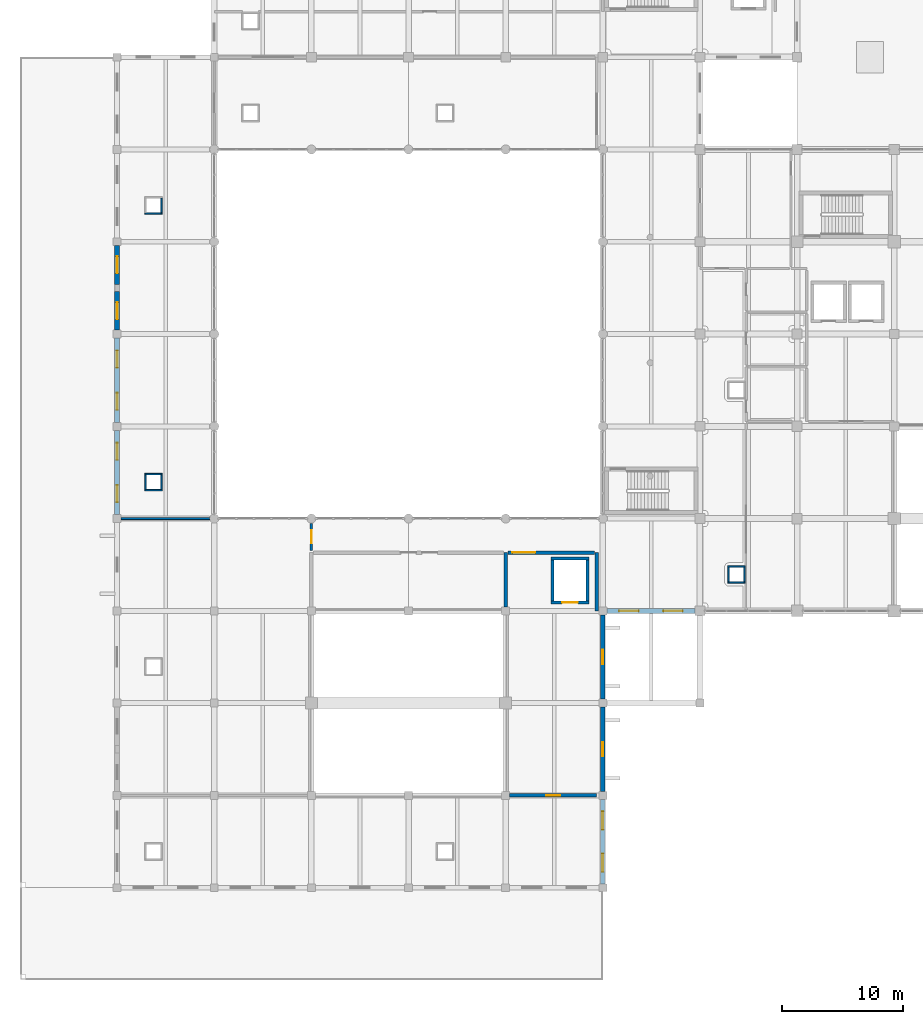
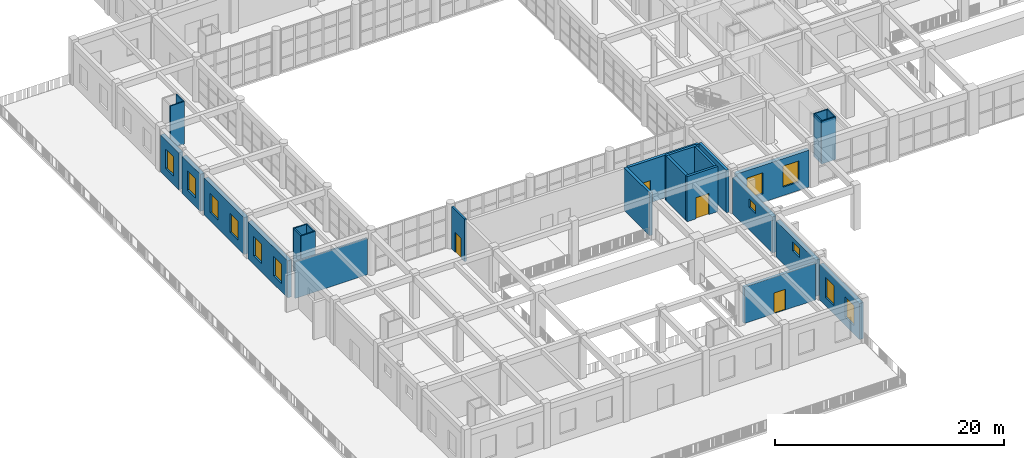
# One storey, part 72 of 101: 28 walls, 12 windows, 4 doors, 16 openings.
"""IFC4 building model written with IfcOpenShell, lengths in metres."""

from ifc_helpers import new_model, si_unit, direction, frame, frame_2d, origin, place, context, subcontext, project, spatial, rectangle, extrude, material, layer, layer_set, type_object, element, fill, save


model = new_model("IFC4")

# Units and contexts
model_context = context("Model", 3, precision=1e-05, world=origin(), true_north=direction((0.0, 1.0)))
body_context = subcontext(model_context, "Body", "Model", "MODEL_VIEW")
ifc_project = project(units=[si_unit("LENGTHUNIT", "METRE"), si_unit("AREAUNIT", "SQUARE_METRE"), si_unit("VOLUMEUNIT", "CUBIC_METRE"), si_unit("PLANEANGLEUNIT", "RADIAN"), si_unit("MASSUNIT", "GRAM", prefix="KILO")], contexts=[model_context])

# Site, building, storey
site_placement = place(None, origin())
site = spatial("IfcSite", under=ifc_project, at=site_placement, CompositionType="ELEMENT")
building_placement = place(site_placement, origin())
building = spatial("IfcBuilding", under=site, at=building_placement, Name="Zantavel Square City Hall", CompositionType="ELEMENT")
storey_placement = place(building_placement, frame((0.0, 0.0, 5.39990234375)))
storey = spatial("IfcBuildingStorey", under=building, at=storey_placement, Name="L02", CompositionType="ELEMENT", Elevation=5.39990234375)

# Wall
ifc_material_1 = material(Name="Concrete C35/45", Category="concrete")
ifc_layer_1 = layer(ifc_material_1, 0.280029296875, Name="Concrete C35/45")
ifc_layer_set_1 = layer_set([ifc_layer_1], Name="Concrete C35/45")
wall_type_1 = type_object("IfcWallType", Name="Archive & Substation Vault Wall 280mm", PredefinedType="STANDARD", material=ifc_layer_set_1)
wall_1_placement = place(storey_placement, frame((40.0, 30.735107421875, 0.0), z_axis=(0.0, 0.0, 1.0), x_axis=(0.0, 1.0, 0.0)))
element("IfcWall", 1, at=wall_1_placement, inside=storey, type_object=wall_type_1, Name="L02 Interior Wall IW-L02-0177", PredefinedType="STANDARD", context=body_context, shape_type="SweptSolid", body=[
    extrude(rectangle(XDim=4.46484375, YDim=0.280029296875, at=frame_2d((2.232421875, 0.0))), origin(), (0.0, 0.0, 1.0), 4.5400390625),
])

# Wall, opening, door
wall_2_placement = place(storey_placement, frame((47.5, 15.199951171875, 0.0), z_axis=(0.0, 0.0, 1.0), x_axis=(-1.0, 0.0, 0.0)))
wall_2 = element("IfcWall", 2, at=wall_2_placement, inside=storey, type_object=wall_type_1, Name="L02 Interior Wall IW-L02-0178", PredefinedType="STANDARD", context=body_context, shape_type="SweptSolid", body=[
    extrude(rectangle(XDim=7.1650390625, YDim=0.280029296875, at=frame_2d((3.58251953125, 0.0))), origin(), (0.0, 0.0, 1.0), 3.89013671875),
])
opening_1_placement = place(wall_2_placement, frame((3.007568359375, 0.0, 0.0)))
opening_1 = element("IfcOpeningElement", 3, at=opening_1_placement, cuts=wall_2, Name="Opening D-0102", PredefinedType="OPENING", context=body_context, shape_type="SweptSolid", body=[
    extrude(rectangle(XDim=1.14990234375, YDim=2.199951171875, at=frame_2d((0.574951171875, 1.10009765625))), frame((0.0, 0.14990234375, 0.0), z_axis=(0.0, -1.0, 0.0), x_axis=(1.0, 0.0, 0.0)), (0.0, 0.0, 1.0), 0.300048828125),
])
ifc_material_2 = material(Name="Steel ASTM A500 Grade B", Category="steel")
door_type_1 = type_object("IfcDoorType", Name="Archive & Plant Fire Door 1150x2200 FD90S", OperationType="NOTDEFINED", PredefinedType="DOOR", material=ifc_material_2)
door_1_placement = place(opening_1_placement, origin())
door_1 = element("IfcDoor", 4, at=door_1_placement, inside=storey, type_object=door_type_1, Name="L02 Civic Balcony Gallery Door", OperationType="SINGLE_SWING_RIGHT", OverallHeight=2.199951171875, OverallWidth=1.14990234375, PredefinedType="DOOR", context=body_context, shape_type="SweptSolid", body=[
    extrude(rectangle(XDim=1.14990234375, YDim=2.199951171875, at=frame_2d((0.574951171875, 1.10009765625))), frame((0.0, 0.02490234375, 0.0), z_axis=(0.0, -1.0, 0.0), x_axis=(1.0, 0.0, 0.0)), (0.0, 0.0, 1.0), 0.050048828125),
])
fill(opening_1, door_1)

# Wall
wall_3_placement = place(storey_placement, frame((47.5, 35.199951171875, 0.0), z_axis=(0.0, 0.0, 1.0), x_axis=(0.0, -1.0, 0.0)))
element("IfcWall", 5, at=wall_3_placement, inside=storey, type_object=wall_type_1, Name="L02 Interior Wall IW-L02-0179", PredefinedType="STANDARD", context=body_context, shape_type="SweptSolid", body=[
    extrude(rectangle(XDim=4.800048828125, YDim=0.280029296875, at=frame_2d((2.39990234375, 0.0))), origin(), (0.0, 0.0, 1.0), 4.5400390625),
])

# Wall, opening, door
wall_4_placement = place(storey_placement, frame((40.18994140625, 35.199951171875, 0.0), z_axis=(0.0, 0.0, 1.0), x_axis=(1.0, 0.0, 0.0)))
wall_4 = element("IfcWall", 6, at=wall_4_placement, inside=storey, type_object=wall_type_1, Name="L02 Interior Wall IW-L02-0180", PredefinedType="STANDARD", context=body_context, shape_type="SweptSolid", body=[
    extrude(rectangle(XDim=7.1201171875, YDim=0.280029296875, at=frame_2d((3.56005859375, 0.0))), origin(), (0.0, 0.0, 1.0), 4.5400390625),
])
opening_2_placement = place(wall_4_placement, frame((0.3701171875, 0.0, 0.0)))
opening_2 = element("IfcOpeningElement", 7, at=opening_2_placement, cuts=wall_4, Name="Opening D-0081", PredefinedType="OPENING", context=body_context, shape_type="SweptSolid", body=[
    extrude(rectangle(XDim=1.8798828125, YDim=2.360107421875, at=frame_2d((0.93994140625, 1.18017578125))), frame((0.0, 0.14990234375, 0.0), z_axis=(0.0, -1.0, 0.0), x_axis=(1.0, 0.0, 0.0)), (0.0, 0.0, 1.0), 0.300048828125),
])
door_type_2 = type_object("IfcDoorType", Name="Double Vault Fire Door 1880x2360 FD90S", OperationType="NOTDEFINED", PredefinedType="DOOR", material=ifc_material_2)
door_2_placement = place(opening_2_placement, origin())
door_2 = element("IfcDoor", 8, at=door_2_placement, inside=storey, type_object=door_type_2, Name="L02 Historical Municipal Archive Vault Door", OperationType="DOUBLE_DOOR_SINGLE_SWING", OverallHeight=2.360107421875, OverallWidth=1.8798828125, PredefinedType="DOOR", context=body_context, shape_type="SweptSolid", body=[
    extrude(rectangle(XDim=1.8798828125, YDim=2.360107421875, at=frame_2d((0.93994140625, 1.18017578125))), frame((0.0, 0.02490234375, 0.0), z_axis=(0.0, -1.0, 0.0), x_axis=(1.0, 0.0, 0.0)), (0.0, 0.0, 1.0), 0.050048828125),
])
fill(opening_2, door_2)

# Wall, openings, windows
ifc_material_3 = material(Name="Cantera volcanic tuff stone", Category="masonry")
ifc_layer_2 = layer(ifc_material_3, 0.39990234375, Name="Cantera volcanic tuff stone")
ifc_layer_set_2 = layer_set([ifc_layer_2], Name="Cantera volcanic tuff stone")
wall_type_2 = type_object("IfcWallType", Name="Civic Pavilion Cantera Ashlar Wall 400mm", PredefinedType="STANDARD", material=ifc_layer_set_2)
wall_5_placement = place(storey_placement, frame((55.60009765625, 30.39990234375, 0.0), z_axis=(0.0, 0.0, 1.0), x_axis=(-1.0, 0.0, 0.0)))
wall_5 = element("IfcWall", 9, at=wall_5_placement, inside=storey, type_object=wall_type_2, Name="L02 Exterior Wall EW-L02-078", PredefinedType="STANDARD", context=body_context, shape_type="SweptSolid", body=[
    extrude(rectangle(XDim=7.275146484375, YDim=0.39990234375, at=frame_2d((3.6376953125, 0.0))), origin(), (0.0, 0.0, 1.0), 3.940185546875),
])
opening_3_placement = place(wall_5_placement, frame((1.018798828125, 0.0, 0.89990234375)))
opening_3 = element("IfcOpeningElement", 10, at=opening_3_placement, cuts=wall_5, Name="Opening W-257", PredefinedType="OPENING", context=body_context, shape_type="SweptSolid", body=[
    extrude(rectangle(XDim=1.60009765625, YDim=2.25, at=frame_2d((0.800048828125, 1.125))), frame((0.0, 0.2099609375, 0.0), z_axis=(0.0, -1.0, 0.0), x_axis=(1.0, 0.0, 0.0)), (0.0, 0.0, 1.0), 0.419921875),
])
opening_4_placement = place(wall_5_placement, frame((4.65625, 0.0, 0.89990234375)))
opening_4 = element("IfcOpeningElement", 11, at=opening_4_placement, cuts=wall_5, Name="Opening W-258", PredefinedType="OPENING", context=body_context, shape_type="SweptSolid", body=[
    extrude(rectangle(XDim=1.60009765625, YDim=2.25, at=frame_2d((0.800048828125, 1.125))), frame((0.0, 0.2099609375, 0.0), z_axis=(0.0, -1.0, 0.0), x_axis=(1.0, 0.0, 0.0)), (0.0, 0.0, 1.0), 0.419921875),
])
ifc_material_4 = material(Name="Tempered safety glass low-E double glazing", Category="glass")
window_type_1 = type_object("IfcWindowType", Name="Window Mezzanine Civic 1600x2250", PartitioningType="DOUBLE_PANEL_VERTICAL", PredefinedType="WINDOW", material=ifc_material_4)
window_1_placement = place(opening_3_placement, origin())
window_1 = element("IfcWindow", 12, at=window_1_placement, inside=storey, type_object=window_type_1, Name="L02 Window W-257", OverallHeight=2.25, OverallWidth=1.60009765625, PartitioningType="DOUBLE_PANEL_VERTICAL", PredefinedType="WINDOW", context=body_context, shape_type="SweptSolid", body=[
    extrude(rectangle(XDim=1.60009765625, YDim=2.25, at=frame_2d((0.800048828125, 1.125))), frame((0.0, 0.030029296875, 0.0), z_axis=(0.0, -1.0, 0.0), x_axis=(1.0, 0.0, 0.0)), (0.0, 0.0, 1.0), 0.06005859375),
])
fill(opening_3, window_1)
window_2_placement = place(opening_4_placement, origin())
window_2 = element("IfcWindow", 13, at=window_2_placement, inside=storey, type_object=window_type_1, Name="L02 Window W-258", OverallHeight=2.25, OverallWidth=1.60009765625, PartitioningType="DOUBLE_PANEL_VERTICAL", PredefinedType="WINDOW", context=body_context, shape_type="SweptSolid", body=[
    extrude(rectangle(XDim=1.60009765625, YDim=2.25, at=frame_2d((0.800048828125, 1.125))), frame((0.0, 0.030029296875, 0.0), z_axis=(0.0, -1.0, 0.0), x_axis=(1.0, 0.0, 0.0)), (0.0, 0.0, 1.0), 0.06005859375),
])
fill(opening_4, window_2)

# Wall, opening, window
wall_6_placement = place(storey_placement, frame((48.0, 30.074951171875, 0.0), z_axis=(0.0, 0.0, 1.0), x_axis=(0.0, -1.0, 0.0)))
wall_6 = element("IfcWall", 14, at=wall_6_placement, inside=storey, type_object=wall_type_2, Name="L02 Exterior Wall EW-L02-079", PredefinedType="STANDARD", context=body_context, shape_type="SweptSolid", body=[
    extrude(rectangle(XDim=6.949951171875, YDim=0.39990234375, at=frame_2d((3.47509765625, 0.0))), origin(), (0.0, 0.0, 1.0), 3.840087890625),
])
opening_5_placement = place(wall_6_placement, frame((2.885009765625, 0.0, 2.39990234375)))
opening_5 = element("IfcOpeningElement", 15, at=opening_5_placement, cuts=wall_6, Name="Opening W-259", PredefinedType="OPENING", context=body_context, shape_type="SweptSolid", body=[
    extrude(rectangle(XDim=1.179931640625, YDim=0.919921875, at=frame_2d((0.58984375, 0.4599609375))), frame((0.0, 0.2099609375, 0.0), z_axis=(0.0, -1.0, 0.0), x_axis=(1.0, 0.0, 0.0)), (0.0, 0.0, 1.0), 0.419921875),
])
window_type_2 = type_object("IfcWindowType", Name="Window Archive North Clerestory 1180x920", PartitioningType="SINGLE_PANEL", PredefinedType="WINDOW", material=ifc_material_4)
window_3_placement = place(opening_5_placement, origin())
window_3 = element("IfcWindow", 16, at=window_3_placement, inside=storey, type_object=window_type_2, Name="L02 Window W-259", OverallHeight=0.919921875, OverallWidth=1.179931640625, PartitioningType="SINGLE_PANEL", PredefinedType="WINDOW", context=body_context, shape_type="SweptSolid", body=[
    extrude(rectangle(XDim=1.179931640625, YDim=0.919921875, at=frame_2d((0.58984375, 0.4599609375))), frame((0.0, 0.030029296875, 0.0), z_axis=(0.0, -1.0, 0.0), x_axis=(1.0, 0.0, 0.0)), (0.0, 0.0, 1.0), 0.06005859375),
])
fill(opening_5, window_3)

wall_7_placement = place(storey_placement, frame((48.0, 22.47509765625, 0.0), z_axis=(0.0, 0.0, 1.0), x_axis=(0.0, -1.0, 0.0)))
wall_7 = element("IfcWall", 17, at=wall_7_placement, inside=storey, type_object=wall_type_2, Name="L02 Exterior Wall EW-L02-080", PredefinedType="STANDARD", context=body_context, shape_type="SweptSolid", body=[
    extrude(rectangle(XDim=6.9501953125, YDim=0.39990234375, at=frame_2d((3.47509765625, 0.0))), origin(), (0.0, 0.0, 1.0), 3.840087890625),
])
opening_6_placement = place(wall_7_placement, frame((2.885009765625, 0.0, 2.39990234375)))
opening_6 = element("IfcOpeningElement", 18, at=opening_6_placement, cuts=wall_7, Name="Opening W-260", PredefinedType="OPENING", context=body_context, shape_type="SweptSolid", body=[
    extrude(rectangle(XDim=1.179931640625, YDim=0.919921875, at=frame_2d((0.58984375, 0.4599609375))), frame((0.0, 0.2099609375, 0.0), z_axis=(0.0, -1.0, 0.0), x_axis=(1.0, 0.0, 0.0)), (0.0, 0.0, 1.0), 0.419921875),
])
window_4_placement = place(opening_6_placement, origin())
window_4 = element("IfcWindow", 19, at=window_4_placement, inside=storey, type_object=window_type_2, Name="L02 Window W-260", OverallHeight=0.919921875, OverallWidth=1.179931640625, PartitioningType="SINGLE_PANEL", PredefinedType="WINDOW", context=body_context, shape_type="SweptSolid", body=[
    extrude(rectangle(XDim=1.179931640625, YDim=0.919921875, at=frame_2d((0.58984375, 0.4599609375))), frame((0.0, 0.030029296875, 0.0), z_axis=(0.0, -1.0, 0.0), x_axis=(1.0, 0.0, 0.0)), (0.0, 0.0, 1.0), 0.06005859375),
])
fill(opening_6, window_4)

# Wall, openings, windows
wall_8_placement = place(storey_placement, frame((48.0, 14.875, 0.0), z_axis=(0.0, 0.0, 1.0), x_axis=(0.0, -1.0, 0.0)))
wall_8 = element("IfcWall", 20, at=wall_8_placement, inside=storey, type_object=wall_type_2, Name="L02 Exterior Wall EW-L02-081", PredefinedType="STANDARD", context=body_context, shape_type="SweptSolid", body=[
    extrude(rectangle(XDim=6.949951171875, YDim=0.39990234375, at=frame_2d((3.47509765625, 0.0))), origin(), (0.0, 0.0, 1.0), 3.840087890625),
])
opening_7_placement = place(wall_8_placement, frame((0.987548828125, 0.0, 0.89990234375)))
opening_7 = element("IfcOpeningElement", 21, at=opening_7_placement, cuts=wall_8, Name="Opening W-261", PredefinedType="OPENING", context=body_context, shape_type="SweptSolid", body=[
    extrude(rectangle(XDim=1.5, YDim=2.14990234375, at=frame_2d((0.75, 1.074951171875))), frame((0.0, 0.2099609375, 0.0), z_axis=(0.0, -1.0, 0.0), x_axis=(1.0, 0.0, 0.0)), (0.0, 0.0, 1.0), 0.419921875),
])
opening_8_placement = place(wall_8_placement, frame((4.46240234375, 0.0, 0.89990234375)))
opening_8 = element("IfcOpeningElement", 22, at=opening_8_placement, cuts=wall_8, Name="Opening W-262", PredefinedType="OPENING", context=body_context, shape_type="SweptSolid", body=[
    extrude(rectangle(XDim=1.5, YDim=2.14990234375, at=frame_2d((0.75, 1.074951171875))), frame((0.0, 0.2099609375, 0.0), z_axis=(0.0, -1.0, 0.0), x_axis=(1.0, 0.0, 0.0)), (0.0, 0.0, 1.0), 0.419921875),
])
window_type_3 = type_object("IfcWindowType", Name="Window Mezzanine Annex 1500x2150", PartitioningType="DOUBLE_PANEL_VERTICAL", PredefinedType="WINDOW", material=ifc_material_4)
window_5_placement = place(opening_7_placement, origin())
window_5 = element("IfcWindow", 23, at=window_5_placement, inside=storey, type_object=window_type_3, Name="L02 Window W-261", OverallHeight=2.14990234375, OverallWidth=1.5, PartitioningType="DOUBLE_PANEL_VERTICAL", PredefinedType="WINDOW", context=body_context, shape_type="SweptSolid", body=[
    extrude(rectangle(XDim=1.5, YDim=2.14990234375, at=frame_2d((0.75, 1.074951171875))), frame((0.0, 0.030029296875, 0.0), z_axis=(0.0, -1.0, 0.0), x_axis=(1.0, 0.0, 0.0)), (0.0, 0.0, 1.0), 0.06005859375),
])
fill(opening_7, window_5)
window_6_placement = place(opening_8_placement, origin())
window_6 = element("IfcWindow", 24, at=window_6_placement, inside=storey, type_object=window_type_3, Name="L02 Window W-262", OverallHeight=2.14990234375, OverallWidth=1.5, PartitioningType="DOUBLE_PANEL_VERTICAL", PredefinedType="WINDOW", context=body_context, shape_type="SweptSolid", body=[
    extrude(rectangle(XDim=1.5, YDim=2.14990234375, at=frame_2d((0.75, 1.074951171875))), frame((0.0, 0.030029296875, 0.0), z_axis=(0.0, -1.0, 0.0), x_axis=(1.0, 0.0, 0.0)), (0.0, 0.0, 1.0), 0.06005859375),
])
fill(opening_8, window_6)

wall_9_placement = place(storey_placement, frame((8.0, 38.324951171875, 0.0), z_axis=(0.0, 0.0, 1.0), x_axis=(0.0, 1.0, 0.0)))
wall_9 = element("IfcWall", 25, at=wall_9_placement, inside=storey, type_object=wall_type_2, Name="L02 Exterior Wall EW-L02-092", PredefinedType="STANDARD", context=body_context, shape_type="SweptSolid", body=[
    extrude(rectangle(XDim=6.949951171875, YDim=0.39990234375, at=frame_2d((3.47509765625, 0.0))), origin(), (0.0, 0.0, 1.0), 3.940185546875),
])
opening_9_placement = place(wall_9_placement, frame((1.03759765625, 0.0, 0.89990234375)))
opening_9 = element("IfcOpeningElement", 26, at=opening_9_placement, cuts=wall_9, Name="Opening W-276", PredefinedType="OPENING", context=body_context, shape_type="SweptSolid", body=[
    extrude(rectangle(XDim=1.39990234375, YDim=2.050048828125, at=frame_2d((0.699951171875, 1.02490234375))), frame((0.0, 0.2099609375, 0.0), z_axis=(0.0, -1.0, 0.0), x_axis=(1.0, 0.0, 0.0)), (0.0, 0.0, 1.0), 0.419921875),
])
opening_10_placement = place(wall_9_placement, frame((4.512451171875, 0.0, 0.89990234375)))
opening_10 = element("IfcOpeningElement", 27, at=opening_10_placement, cuts=wall_9, Name="Opening W-277", PredefinedType="OPENING", context=body_context, shape_type="SweptSolid", body=[
    extrude(rectangle(XDim=1.39990234375, YDim=2.050048828125, at=frame_2d((0.699951171875, 1.02490234375))), frame((0.0, 0.2099609375, 0.0), z_axis=(0.0, -1.0, 0.0), x_axis=(1.0, 0.0, 0.0)), (0.0, 0.0, 1.0), 0.419921875),
])
window_type_4 = type_object("IfcWindowType", Name="Window Mezzanine Courtyard 1400x2050", PartitioningType="DOUBLE_PANEL_VERTICAL", PredefinedType="WINDOW", material=ifc_material_4)
window_7_placement = place(opening_9_placement, origin())
window_7 = element("IfcWindow", 28, at=window_7_placement, inside=storey, type_object=window_type_4, Name="L02 Window W-276", OverallHeight=2.050048828125, OverallWidth=1.39990234375, PartitioningType="DOUBLE_PANEL_VERTICAL", PredefinedType="WINDOW", context=body_context, shape_type="SweptSolid", body=[
    extrude(rectangle(XDim=1.39990234375, YDim=2.050048828125, at=frame_2d((0.699951171875, 1.02490234375))), frame((0.0, 0.030029296875, 0.0), z_axis=(0.0, -1.0, 0.0), x_axis=(1.0, 0.0, 0.0)), (0.0, 0.0, 1.0), 0.06005859375),
])
fill(opening_9, window_7)
window_8_placement = place(opening_10_placement, origin())
window_8 = element("IfcWindow", 29, at=window_8_placement, inside=storey, type_object=window_type_4, Name="L02 Window W-277", OverallHeight=2.050048828125, OverallWidth=1.39990234375, PartitioningType="DOUBLE_PANEL_VERTICAL", PredefinedType="WINDOW", context=body_context, shape_type="SweptSolid", body=[
    extrude(rectangle(XDim=1.39990234375, YDim=2.050048828125, at=frame_2d((0.699951171875, 1.02490234375))), frame((0.0, 0.030029296875, 0.0), z_axis=(0.0, -1.0, 0.0), x_axis=(1.0, 0.0, 0.0)), (0.0, 0.0, 1.0), 0.06005859375),
])
fill(opening_10, window_8)

wall_10_placement = place(storey_placement, frame((8.0, 45.925048828125, 0.0), z_axis=(0.0, 0.0, 1.0), x_axis=(0.0, 1.0, 0.0)))
wall_10 = element("IfcWall", 30, at=wall_10_placement, inside=storey, type_object=wall_type_2, Name="L02 Exterior Wall EW-L02-093", PredefinedType="STANDARD", context=body_context, shape_type="SweptSolid", body=[
    extrude(rectangle(XDim=6.949951171875, YDim=0.39990234375, at=frame_2d((3.47509765625, 0.0))), origin(), (0.0, 0.0, 1.0), 3.940185546875),
])
opening_11_placement = place(wall_10_placement, frame((1.03759765625, 0.0, 0.89990234375)))
opening_11 = element("IfcOpeningElement", 31, at=opening_11_placement, cuts=wall_10, Name="Opening W-278", PredefinedType="OPENING", context=body_context, shape_type="SweptSolid", body=[
    extrude(rectangle(XDim=1.39990234375, YDim=2.050048828125, at=frame_2d((0.699951171875, 1.02490234375))), frame((0.0, 0.2099609375, 0.0), z_axis=(0.0, -1.0, 0.0), x_axis=(1.0, 0.0, 0.0)), (0.0, 0.0, 1.0), 0.419921875),
])
opening_12_placement = place(wall_10_placement, frame((4.512451171875, 0.0, 0.89990234375)))
opening_12 = element("IfcOpeningElement", 32, at=opening_12_placement, cuts=wall_10, Name="Opening W-279", PredefinedType="OPENING", context=body_context, shape_type="SweptSolid", body=[
    extrude(rectangle(XDim=1.39990234375, YDim=2.050048828125, at=frame_2d((0.699951171875, 1.02490234375))), frame((0.0, 0.2099609375, 0.0), z_axis=(0.0, -1.0, 0.0), x_axis=(1.0, 0.0, 0.0)), (0.0, 0.0, 1.0), 0.419921875),
])
window_9_placement = place(opening_11_placement, origin())
window_9 = element("IfcWindow", 33, at=window_9_placement, inside=storey, type_object=window_type_4, Name="L02 Window W-278", OverallHeight=2.050048828125, OverallWidth=1.39990234375, PartitioningType="DOUBLE_PANEL_VERTICAL", PredefinedType="WINDOW", context=body_context, shape_type="SweptSolid", body=[
    extrude(rectangle(XDim=1.39990234375, YDim=2.050048828125, at=frame_2d((0.699951171875, 1.02490234375))), frame((0.0, 0.030029296875, 0.0), z_axis=(0.0, -1.0, 0.0), x_axis=(1.0, 0.0, 0.0)), (0.0, 0.0, 1.0), 0.06005859375),
])
fill(opening_11, window_9)
window_10_placement = place(opening_12_placement, origin())
window_10 = element("IfcWindow", 34, at=window_10_placement, inside=storey, type_object=window_type_4, Name="L02 Window W-279", OverallHeight=2.050048828125, OverallWidth=1.39990234375, PartitioningType="DOUBLE_PANEL_VERTICAL", PredefinedType="WINDOW", context=body_context, shape_type="SweptSolid", body=[
    extrude(rectangle(XDim=1.39990234375, YDim=2.050048828125, at=frame_2d((0.699951171875, 1.02490234375))), frame((0.0, 0.030029296875, 0.0), z_axis=(0.0, -1.0, 0.0), x_axis=(1.0, 0.0, 0.0)), (0.0, 0.0, 1.0), 0.06005859375),
])
fill(opening_12, window_10)

# Wall, opening, window
wall_11_placement = place(storey_placement, frame((8.0, 53.52490234375, 0.0), z_axis=(0.0, 0.0, 1.0), x_axis=(0.0, 1.0, 0.0)))
wall_11 = element("IfcWall", 35, at=wall_11_placement, inside=storey, type_object=wall_type_2, Name="L02 Exterior Wall EW-L02-094", PredefinedType="STANDARD", context=body_context, shape_type="SweptSolid", body=[
    extrude(rectangle(XDim=3.175048828125, YDim=0.39990234375, at=frame_2d((1.58740234375, 0.0))), origin(), (0.0, 0.0, 1.0), 3.940185546875),
])
opening_13_placement = place(wall_11_placement, frame((0.887451171875, 0.0, 0.89990234375)))
opening_13 = element("IfcOpeningElement", 36, at=opening_13_placement, cuts=wall_11, Name="Opening W-280", PredefinedType="OPENING", context=body_context, shape_type="SweptSolid", body=[
    extrude(rectangle(XDim=1.39990234375, YDim=2.050048828125, at=frame_2d((0.699951171875, 1.02490234375))), frame((0.0, 0.2099609375, 0.0), z_axis=(0.0, -1.0, 0.0), x_axis=(1.0, 0.0, 0.0)), (0.0, 0.0, 1.0), 0.419921875),
])
window_11_placement = place(opening_13_placement, origin())
window_11 = element("IfcWindow", 37, at=window_11_placement, inside=storey, type_object=window_type_4, Name="L02 Window W-280", OverallHeight=2.050048828125, OverallWidth=1.39990234375, PartitioningType="DOUBLE_PANEL_VERTICAL", PredefinedType="WINDOW", context=body_context, shape_type="SweptSolid", body=[
    extrude(rectangle(XDim=1.39990234375, YDim=2.050048828125, at=frame_2d((0.699951171875, 1.02490234375))), frame((0.0, 0.030029296875, 0.0), z_axis=(0.0, -1.0, 0.0), x_axis=(1.0, 0.0, 0.0)), (0.0, 0.0, 1.0), 0.06005859375),
])
fill(opening_13, window_11)

wall_12_placement = place(storey_placement, frame((8.0, 57.300048828125, 0.0), z_axis=(0.0, 0.0, 1.0), x_axis=(0.0, 1.0, 0.0)))
wall_12 = element("IfcWall", 38, at=wall_12_placement, inside=storey, type_object=wall_type_2, Name="L02 Exterior Wall EW-L02-095", PredefinedType="STANDARD", context=body_context, shape_type="SweptSolid", body=[
    extrude(rectangle(XDim=3.175048828125, YDim=0.39990234375, at=frame_2d((1.58740234375, 0.0))), origin(), (0.0, 0.0, 1.0), 3.940185546875),
])
opening_14_placement = place(wall_12_placement, frame((0.887451171875, 0.0, 0.89990234375)))
opening_14 = element("IfcOpeningElement", 39, at=opening_14_placement, cuts=wall_12, Name="Opening W-281", PredefinedType="OPENING", context=body_context, shape_type="SweptSolid", body=[
    extrude(rectangle(XDim=1.39990234375, YDim=2.050048828125, at=frame_2d((0.699951171875, 1.02490234375))), frame((0.0, 0.2099609375, 0.0), z_axis=(0.0, -1.0, 0.0), x_axis=(1.0, 0.0, 0.0)), (0.0, 0.0, 1.0), 0.419921875),
])
window_12_placement = place(opening_14_placement, origin())
window_12 = element("IfcWindow", 40, at=window_12_placement, inside=storey, type_object=window_type_4, Name="L02 Window W-281", OverallHeight=2.050048828125, OverallWidth=1.39990234375, PartitioningType="DOUBLE_PANEL_VERTICAL", PredefinedType="WINDOW", context=body_context, shape_type="SweptSolid", body=[
    extrude(rectangle(XDim=1.39990234375, YDim=2.050048828125, at=frame_2d((0.699951171875, 1.02490234375))), frame((0.0, 0.030029296875, 0.0), z_axis=(0.0, -1.0, 0.0), x_axis=(1.0, 0.0, 0.0)), (0.0, 0.0, 1.0), 0.06005859375),
])
fill(opening_14, window_12)

# Wall
ifc_material_5 = material(Name="Gypsum acoustic stud assembly", Category="masonry")
ifc_layer_3 = layer(ifc_material_5, 0.14990234375, Name="Gypsum acoustic stud assembly")
ifc_layer_set_3 = layer_set([ifc_layer_3], Name="Gypsum acoustic stud assembly")
wall_type_3 = type_object("IfcWallType", Name="Department Office Partition 150mm", PredefinedType="PARTITIONING", material=ifc_layer_set_3)
wall_13_placement = place(storey_placement, frame((15.614990234375, 38.0, 0.0), z_axis=(0.0, 0.0, 1.0), x_axis=(-1.0, 0.0, 0.0)))
element("IfcWall", 41, at=wall_13_placement, inside=storey, type_object=wall_type_3, Name="L02 Interior Wall IW-L02-0187", PredefinedType="PARTITIONING", context=body_context, shape_type="SweptSolid", body=[
    extrude(rectangle(XDim=7.280029296875, YDim=0.14990234375, at=frame_2d((3.64013671875, 0.0))), origin(), (0.0, 0.0, 1.0), 3.89013671875),
])

# Wall, opening, door
ifc_layer_4 = layer(ifc_material_3, 0.199951171875, Name="Cantera volcanic tuff stone")
ifc_layer_set_4 = layer_set([ifc_layer_4], Name="Cantera volcanic tuff stone")
wall_type_4 = type_object("IfcWallType", Name="Exit Corridor Rated Wall 200mm", PredefinedType="STANDARD", material=ifc_layer_set_4)
wall_14_placement = place(storey_placement, frame((24.0, 37.614990234375, 0.0), z_axis=(0.0, 0.0, 1.0), x_axis=(0.0, -1.0, 0.0)))
wall_14 = element("IfcWall", 42, at=wall_14_placement, inside=storey, type_object=wall_type_4, Name="L02 Interior Wall IW-L02-0211", PredefinedType="STANDARD", context=body_context, shape_type="SweptSolid", body=[
    extrude(rectangle(XDim=2.22509765625, YDim=0.199951171875, at=frame_2d((1.112548828125, 0.0))), origin(), (0.0, 0.0, 1.0), 4.5400390625),
])
opening_15_placement = place(wall_14_placement, frame((0.58740234375, 0.0, 0.0)))
opening_15 = element("IfcOpeningElement", 43, at=opening_15_placement, cuts=wall_14, Name="Opening D-0093", PredefinedType="OPENING", context=body_context, shape_type="SweptSolid", body=[
    extrude(rectangle(XDim=1.050048828125, YDim=2.14990234375, at=frame_2d((0.52490234375, 1.074951171875))), frame((0.0, 0.10986328125, 0.0), z_axis=(0.0, -1.0, 0.0), x_axis=(1.0, 0.0, 0.0)), (0.0, 0.0, 1.0), 0.219970703125),
])
ifc_material_6 = material(Name="Solid oak hardwood", Category="wood")
door_type_3 = type_object("IfcDoorType", Name="Corridor Office Oak Fire Door 1050x2150 FD60S", OperationType="NOTDEFINED", PredefinedType="DOOR", material=ifc_material_6)
door_3_placement = place(opening_15_placement, origin())
door_3 = element("IfcDoor", 44, at=door_3_placement, inside=storey, type_object=door_type_3, Name="L02 Cultural Affairs Office Door", OperationType="SINGLE_SWING_LEFT", OverallHeight=2.14990234375, OverallWidth=1.050048828125, PredefinedType="DOOR", context=body_context, shape_type="SweptSolid", body=[
    extrude(rectangle(XDim=1.050048828125, YDim=2.14990234375, at=frame_2d((0.52490234375, 1.074951171875))), frame((0.0, 0.02490234375, 0.0), z_axis=(0.0, -1.0, 0.0), x_axis=(1.0, 0.0, 0.0)), (0.0, 0.0, 1.0), 0.050048828125),
])
fill(opening_15, door_3)

ifc_material_7 = material(Name="Concrete C40/50", Category="concrete")
ifc_layer_5 = layer(ifc_material_7, 0.25, Name="Concrete C40/50")
ifc_layer_set_5 = layer_set([ifc_layer_5], Name="Concrete C40/50")
wall_type_5 = type_object("IfcWallType", Name="Lift Shaft Wall RC 250mm C40/50", PredefinedType="SHEAR", material=ifc_layer_set_5)
wall_15_placement = place(storey_placement, frame((46.85009765625, 31.074951171875, 0.0), z_axis=(0.0, 0.0, 1.0), x_axis=(-1.0, 0.0, 0.0)))
wall_15 = element("IfcWall", 45, at=wall_15_placement, inside=storey, type_object=wall_type_5, Name="L02 Lift LF08 Shaft Wall South", PredefinedType="SHEAR", context=body_context, shape_type="SweptSolid", body=[
    extrude(rectangle(XDim=3.10009765625, YDim=0.25, at=frame_2d((1.550048828125, 0.0))), origin(), (0.0, 0.0, 1.0), 4.800048828125),
])
opening_16_placement = place(wall_15_placement, frame((0.89990234375, 0.0, 0.0)))
opening_16 = element("IfcOpeningElement", 46, at=opening_16_placement, cuts=wall_15, Name="Opening LD-LF08-L02", PredefinedType="OPENING", context=body_context, shape_type="SweptSolid", body=[
    extrude(rectangle(XDim=1.300048828125, YDim=2.25, at=frame_2d((0.64990234375, 1.125))), frame((0.0, 0.135009765625, 0.0), z_axis=(0.0, -1.0, 0.0), x_axis=(1.0, 0.0, 0.0)), (0.0, 0.0, 1.0), 0.27001953125),
])
ifc_material_8 = material(Name="Stainless steel 316", Category="steel")
door_type_4 = type_object("IfcDoorType", Name="Goods Lift Landing Sliding Door 1300x2250 FD90S", OperationType="NOTDEFINED", PredefinedType="DOOR", material=ifc_material_8)
door_4_placement = place(opening_16_placement, origin())
door_4 = element("IfcDoor", 47, at=door_4_placement, inside=storey, type_object=door_type_4, Name="L02 Lift LF08 Sliding Landing Door", OperationType="DOUBLE_DOOR_SLIDING", OverallHeight=2.25, OverallWidth=1.300048828125, PredefinedType="DOOR", context=body_context, shape_type="SweptSolid", body=[
    extrude(rectangle(XDim=1.300048828125, YDim=2.25, at=frame_2d((0.64990234375, 1.125))), frame((0.0, 0.02490234375, 0.0), z_axis=(0.0, -1.0, 0.0), x_axis=(1.0, 0.0, 0.0)), (0.0, 0.0, 1.0), 0.050048828125),
])
fill(opening_16, door_4)

# Walls
wall_16_placement = place(storey_placement, frame((43.875, 31.199951171875, 0.0), z_axis=(0.0, 0.0, 1.0), x_axis=(0.0, 1.0, 0.0)))
element("IfcWall", 48, at=wall_16_placement, inside=storey, type_object=wall_type_5, Name="L02 Lift LF08 Shaft Wall West", PredefinedType="SHEAR", context=body_context, shape_type="SweptSolid", body=[
    extrude(rectangle(XDim=3.400146484375, YDim=0.25, at=frame_2d((1.7001953125, 0.0))), origin(), (0.0, 0.0, 1.0), 4.800048828125),
])
wall_17_placement = place(storey_placement, frame((43.75, 34.72509765625, 0.0), z_axis=(0.0, 0.0, 1.0), x_axis=(1.0, 0.0, 0.0)))
element("IfcWall", 49, at=wall_17_placement, inside=storey, type_object=wall_type_5, Name="L02 Lift LF08 Shaft Wall North", PredefinedType="SHEAR", context=body_context, shape_type="SweptSolid", body=[
    extrude(rectangle(XDim=3.10009765625, YDim=0.25, at=frame_2d((1.550048828125, 0.0))), origin(), (0.0, 0.0, 1.0), 4.800048828125),
])
wall_18_placement = place(storey_placement, frame((46.72509765625, 34.60009765625, 0.0), z_axis=(0.0, 0.0, 1.0), x_axis=(0.0, -1.0, 0.0)))
element("IfcWall", 50, at=wall_18_placement, inside=storey, type_object=wall_type_5, Name="L02 Lift LF08 Shaft Wall East", PredefinedType="SHEAR", context=body_context, shape_type="SweptSolid", body=[
    extrude(rectangle(XDim=3.400146484375, YDim=0.25, at=frame_2d((1.7001953125, 0.0))), origin(), (0.0, 0.0, 1.0), 4.800048828125),
])
ifc_layer_6 = layer(ifc_material_1, 0.1201171875, Name="Concrete C35/45")
ifc_layer_set_6 = layer_set([ifc_layer_6], Name="Concrete C35/45")
wall_type_6 = type_object("IfcWallType", Name="Riser Chase Wall RC 120mm C35/45", PredefinedType="PARTITIONING", material=ifc_layer_set_6)
wall_19_placement = place(storey_placement, frame((59.719970703125, 32.739990234375, 0.0), z_axis=(0.0, 0.0, 1.0), x_axis=(-1.0, 0.0, 0.0)))
element("IfcWall", 51, at=wall_19_placement, inside=storey, type_object=wall_type_6, Name="L02 MEP Riser 01 Wall S", PredefinedType="PARTITIONING", context=body_context, shape_type="SweptSolid", body=[
    extrude(rectangle(XDim=1.43994140625, YDim=0.1201171875, at=frame_2d((0.719970703125, 0.0))), origin(), (0.0, 0.0, 1.0), 4.5400390625),
])
wall_20_placement = place(storey_placement, frame((58.340087890625, 32.800048828125, 0.0), z_axis=(0.0, 0.0, 1.0), x_axis=(0.0, 1.0, 0.0)))
element("IfcWall", 52, at=wall_20_placement, inside=storey, type_object=wall_type_6, Name="L02 MEP Riser 01 Wall W", PredefinedType="PARTITIONING", context=body_context, shape_type="SweptSolid", body=[
    extrude(rectangle(XDim=1.199951171875, YDim=0.1201171875, at=frame_2d((0.60009765625, 0.0))), origin(), (0.0, 0.0, 1.0), 4.5400390625),
])
wall_21_placement = place(storey_placement, frame((58.280029296875, 34.06005859375, 0.0), z_axis=(0.0, 0.0, 1.0), x_axis=(1.0, 0.0, 0.0)))
element("IfcWall", 53, at=wall_21_placement, inside=storey, type_object=wall_type_6, Name="L02 MEP Riser 01 Wall N", PredefinedType="PARTITIONING", context=body_context, shape_type="SweptSolid", body=[
    extrude(rectangle(XDim=1.43994140625, YDim=0.1201171875, at=frame_2d((0.719970703125, 0.0))), origin(), (0.0, 0.0, 1.0), 4.5400390625),
])
wall_22_placement = place(storey_placement, frame((59.659912109375, 34.0, 0.0), z_axis=(0.0, 0.0, 1.0), x_axis=(0.0, -1.0, 0.0)))
element("IfcWall", 54, at=wall_22_placement, inside=storey, type_object=wall_type_6, Name="L02 MEP Riser 01 Wall E", PredefinedType="PARTITIONING", context=body_context, shape_type="SweptSolid", body=[
    extrude(rectangle(XDim=1.199951171875, YDim=0.1201171875, at=frame_2d((0.60009765625, 0.0))), origin(), (0.0, 0.0, 1.0), 4.5400390625),
])
wall_23_placement = place(storey_placement, frame((11.719970703125, 40.340087890625, 0.0), z_axis=(0.0, 0.0, 1.0), x_axis=(-1.0, 0.0, 0.0)))
element("IfcWall", 55, at=wall_23_placement, inside=storey, type_object=wall_type_6, Name="L02 MEP Riser 14 Wall S", PredefinedType="PARTITIONING", context=body_context, shape_type="SweptSolid", body=[
    extrude(rectangle(XDim=1.43994140625, YDim=0.1201171875, at=frame_2d((0.719970703125, 0.0))), origin(), (0.0, 0.0, 1.0), 4.5400390625),
])
wall_24_placement = place(storey_placement, frame((10.340087890625, 40.39990234375, 0.0), z_axis=(0.0, 0.0, 1.0), x_axis=(0.0, 1.0, 0.0)))
element("IfcWall", 56, at=wall_24_placement, inside=storey, type_object=wall_type_6, Name="L02 MEP Riser 14 Wall W", PredefinedType="PARTITIONING", context=body_context, shape_type="SweptSolid", body=[
    extrude(rectangle(XDim=1.2001953125, YDim=0.1201171875, at=frame_2d((0.60009765625, 0.0))), origin(), (0.0, 0.0, 1.0), 4.5400390625),
])
wall_25_placement = place(storey_placement, frame((10.280029296875, 41.659912109375, 0.0), z_axis=(0.0, 0.0, 1.0), x_axis=(1.0, 0.0, 0.0)))
element("IfcWall", 57, at=wall_25_placement, inside=storey, type_object=wall_type_6, Name="L02 MEP Riser 14 Wall N", PredefinedType="PARTITIONING", context=body_context, shape_type="SweptSolid", body=[
    extrude(rectangle(XDim=1.43994140625, YDim=0.1201171875, at=frame_2d((0.719970703125, 0.0))), origin(), (0.0, 0.0, 1.0), 4.5400390625),
])
wall_26_placement = place(storey_placement, frame((11.659912109375, 41.60009765625, 0.0), z_axis=(0.0, 0.0, 1.0), x_axis=(0.0, -1.0, 0.0)))
element("IfcWall", 58, at=wall_26_placement, inside=storey, type_object=wall_type_6, Name="L02 MEP Riser 14 Wall E", PredefinedType="PARTITIONING", context=body_context, shape_type="SweptSolid", body=[
    extrude(rectangle(XDim=1.2001953125, YDim=0.1201171875, at=frame_2d((0.60009765625, 0.0))), origin(), (0.0, 0.0, 1.0), 4.5400390625),
])
wall_27_placement = place(storey_placement, frame((11.719970703125, 63.139892578125, 0.0), z_axis=(0.0, 0.0, 1.0), x_axis=(-1.0, 0.0, 0.0)))
element("IfcWall", 59, at=wall_27_placement, inside=storey, type_object=wall_type_6, Name="L02 MEP Riser 15 Wall S", PredefinedType="PARTITIONING", context=body_context, shape_type="SweptSolid", body=[
    extrude(rectangle(XDim=1.43994140625, YDim=0.1201171875, at=frame_2d((0.719970703125, 0.0))), origin(), (0.0, 0.0, 1.0), 4.5400390625),
])
wall_28_placement = place(storey_placement, frame((11.659912109375, 64.39990234375, 0.0), z_axis=(0.0, 0.0, 1.0), x_axis=(0.0, -1.0, 0.0)))
element("IfcWall", 60, at=wall_28_placement, inside=storey, type_object=wall_type_6, Name="L02 MEP Riser 15 Wall E", PredefinedType="PARTITIONING", context=body_context, shape_type="SweptSolid", body=[
    extrude(rectangle(XDim=1.199951171875, YDim=0.1201171875, at=frame_2d((0.60009765625, 0.0))), origin(), (0.0, 0.0, 1.0), 4.5400390625),
])

save(model, "model.ifc")
